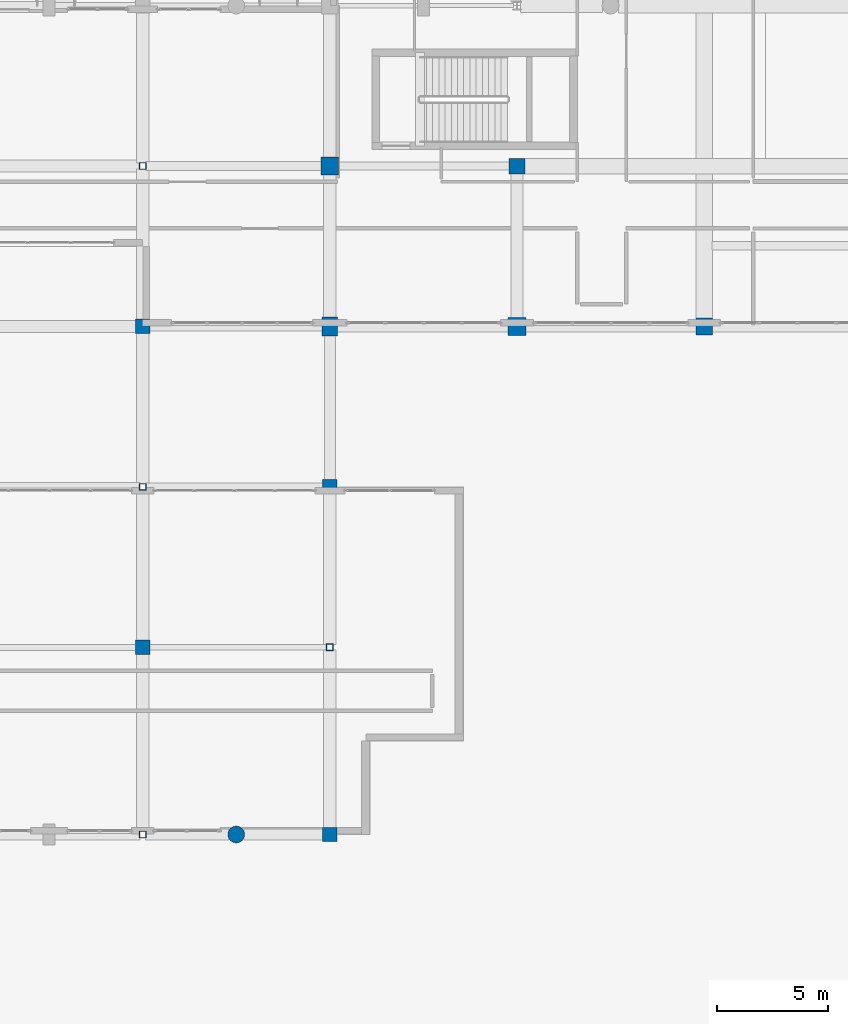
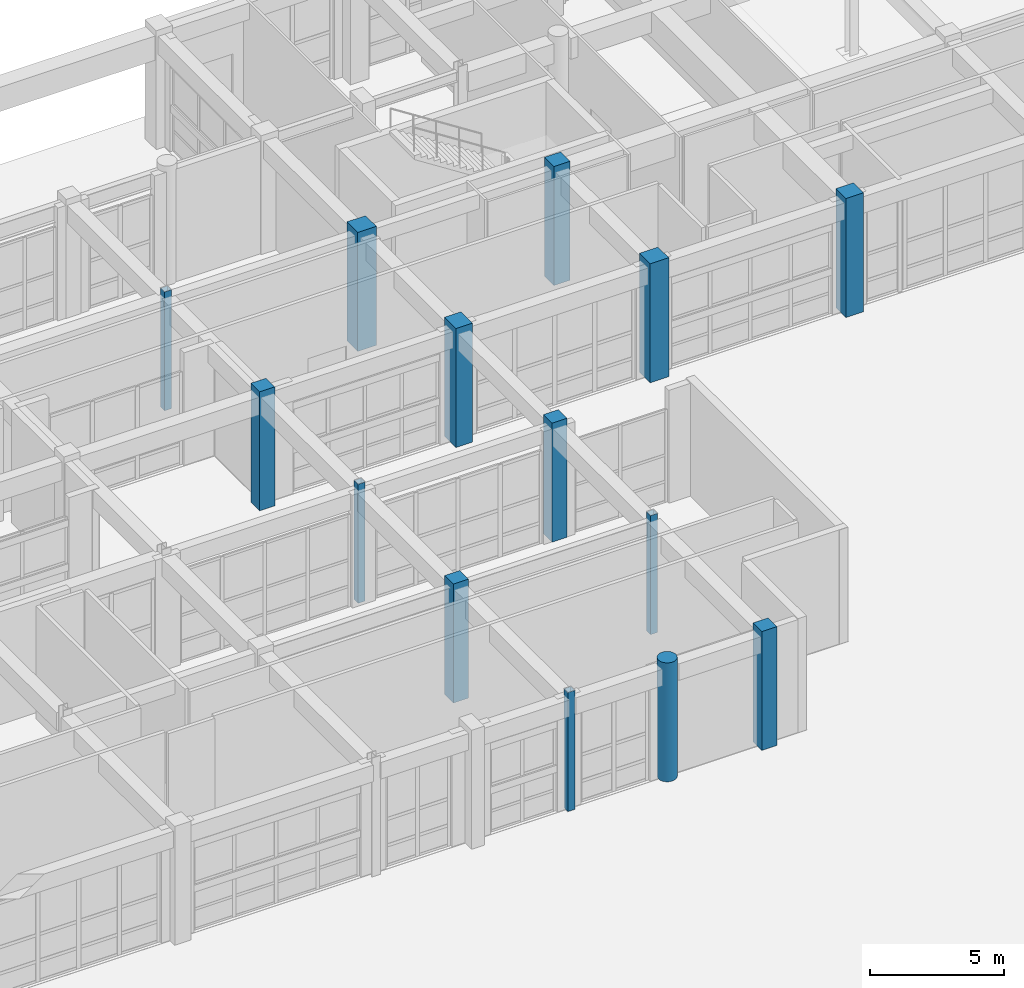
# One storey, part 11 of 148: 14 columns.
"""IFC4 building model written with IfcOpenShell, lengths in metres."""

from ifc_helpers import new_model, si_unit, direction, frame, origin, origin_2d, place, context, subcontext, project, spatial, rectangle, hollow_rectangle, circle, extrude, material, material_profile, profile_set, type_object, element, save


model = new_model("IFC4")

# Units and contexts
model_context = context("Model", 3, precision=1e-05, world=origin(), true_north=direction((0.0, 1.0)))
body_context = subcontext(model_context, "Body", "Model", "MODEL_VIEW")
ifc_project = project(units=[si_unit("LENGTHUNIT", "METRE"), si_unit("AREAUNIT", "SQUARE_METRE"), si_unit("VOLUMEUNIT", "CUBIC_METRE"), si_unit("PLANEANGLEUNIT", "RADIAN"), si_unit("MASSUNIT", "GRAM", prefix="KILO")], contexts=[model_context])

# Site, building, storey
site_placement = place(None, origin())
site = spatial("IfcSite", under=ifc_project, at=site_placement, CompositionType="ELEMENT")
building_placement = place(site_placement, origin())
building = spatial("IfcBuilding", under=site, at=building_placement, Name="Quendrovan Civic Courthouse", CompositionType="ELEMENT")
storey_placement = place(building_placement, origin())
storey = spatial("IfcBuildingStorey", under=building, at=storey_placement, Name="L01", CompositionType="ELEMENT", Elevation=0.0)

# Columns
ifc_material_1 = material(Name="Precast concrete C45/55", Category="concrete")
ifc_material_profile_1 = material_profile(ifc_material_1, circle(Radius=0.375, at=origin_2d()), Name="RC-ARCADE-D750")
ifc_profile_set_1 = profile_set([ifc_material_profile_1], Name="Precast concrete C45/55")
column_type_1 = type_object("IfcColumnType", Name="COL-ARC750", PredefinedType="PILASTER", material=ifc_profile_set_1)
column_1_placement = place(storey_placement, frame((105.0, 64.800048828125, 0.0), z_axis=(0.0, 0.0, 1.0), x_axis=(1.0, 0.0, 0.0)))
element("IfcColumn", 1, at=column_1_placement, inside=storey, type_object=column_type_1, Name="L01 Column PIL-C4", PredefinedType="PILASTER", context=body_context, shape_type="SweptSolid", body=[
    extrude(circle(Radius=0.375, at=origin_2d()), origin(), (0.0, 0.0, 1.0), 5.39990234375),
])
ifc_material_2 = material(Name="Concrete C40/50", Category="concrete")
ifc_material_profile_2 = material_profile(ifc_material_2, rectangle(XDim=0.699951171875, YDim=0.85009765625, at=origin_2d()), Name="RC-COL-700x850")
ifc_profile_set_2 = profile_set([ifc_material_profile_2], Name="Concrete C40/50")
column_type_2 = type_object("IfcColumnType", Name="COL-RC-700x850", PredefinedType="COLUMN", material=ifc_profile_set_2)
column_2_placement = place(storey_placement, frame((109.199951171875, 87.60009765625, 0.0), z_axis=(0.0, 0.0, 1.0), x_axis=(1.0, 0.0, 0.0)))
element("IfcColumn", 2, at=column_2_placement, inside=storey, type_object=column_type_2, Name="L01 Column 14-M", PredefinedType="COLUMN", context=body_context, shape_type="SweptSolid", body=[
    extrude(rectangle(XDim=0.699951171875, YDim=0.85009765625, at=origin_2d()), origin(), (0.0, 0.0, 1.0), 5.39990234375),
])
ifc_material_3 = material(Name="Concrete C45/55", Category="concrete")
ifc_material_profile_3 = material_profile(ifc_material_3, rectangle(XDim=0.64990234375, YDim=0.64990234375, at=origin_2d()), Name="RC-COL-650x650")
ifc_profile_set_3 = profile_set([ifc_material_profile_3], Name="Concrete C45/55")
column_type_3 = type_object("IfcColumnType", Name="COL-RC650", PredefinedType="COLUMN", material=ifc_profile_set_3)
for number, where, z_axis, x_axis, name in (
    (3, (100.800048828125, 73.199951171875, 0.0), (0.0, 0.0, 1.0), (1.0, 0.0, 0.0), "L01 Column 13-K"),
    (4, (100.800048828125, 87.60009765625, 0.0), (0.0, 0.0, 1.0), (1.0, 0.0, 0.0), "L01 Column 13-M"),
    (5, (109.199951171875, 64.800048828125, 0.0), (0.0, 0.0, 1.0), (1.0, 0.0, 0.0), "L01 Column 14-J"),
    (6, (109.199951171875, 80.39990234375, 0.0), (0.0, 0.0, 1.0), (1.0, 0.0, 0.0), "L01 Column 14-L"),
):
    element("IfcColumn", number, at=place(storey_placement, frame(where, z_axis=z_axis, x_axis=x_axis)), inside=storey, type_object=column_type_3, Name=name, PredefinedType="COLUMN", context=body_context, shape_type="SweptSolid", body=[
        extrude(rectangle(XDim=0.64990234375, YDim=0.64990234375, at=origin_2d()), origin(), (0.0, 0.0, 1.0), 5.39990234375),
    ])
ifc_material_profile_4 = material_profile(ifc_material_3, rectangle(XDim=0.699951171875, YDim=0.699951171875, at=origin_2d()), Name="RC-COL-700x700")
ifc_profile_set_4 = profile_set([ifc_material_profile_4], Name="Concrete C45/55")
column_type_4 = type_object("IfcColumnType", Name="COL-RC700", PredefinedType="COLUMN", material=ifc_profile_set_4)
column_3_placement = place(storey_placement, frame((117.60009765625, 94.800048828125, 0.0), z_axis=(0.0, 0.0, 1.0), x_axis=(1.0, 0.0, 0.0)))
element("IfcColumn", 7, at=column_3_placement, inside=storey, type_object=column_type_4, Name="L01 Column 15-N", PredefinedType="COLUMN", context=body_context, shape_type="SweptSolid", body=[
    extrude(rectangle(XDim=0.699951171875, YDim=0.699951171875, at=origin_2d()), origin(), (0.0, 0.0, 1.0), 5.39990234375),
])
ifc_material_profile_5 = material_profile(ifc_material_3, rectangle(XDim=0.75, YDim=0.75, at=origin_2d()), Name="RC-COL-750x750")
ifc_profile_set_5 = profile_set([ifc_material_profile_5], Name="Concrete C45/55")
column_type_5 = type_object("IfcColumnType", Name="COL-RC750", PredefinedType="COLUMN", material=ifc_profile_set_5)
column_4_placement = place(storey_placement, frame((126.0, 87.60009765625, 0.0), z_axis=(0.0, 0.0, 1.0), x_axis=(1.0, 0.0, 0.0)))
element("IfcColumn", 8, at=column_4_placement, inside=storey, type_object=column_type_5, Name="L01 Column 16-M", PredefinedType="COLUMN", context=body_context, shape_type="SweptSolid", body=[
    extrude(rectangle(XDim=0.75, YDim=0.75, at=origin_2d()), origin(), (0.0, 0.0, 1.0), 5.39990234375),
])
ifc_material_profile_6 = material_profile(ifc_material_3, rectangle(XDim=0.800048828125, YDim=0.800048828125, at=origin_2d()), Name="RC-COL-800x800")
ifc_profile_set_6 = profile_set([ifc_material_profile_6], Name="Concrete C45/55")
column_type_6 = type_object("IfcColumnType", Name="COL-RC800", PredefinedType="COLUMN", material=ifc_profile_set_6)
for number, where, z_axis, x_axis, name in (
    (9, (109.199951171875, 94.800048828125, 0.0), (0.0, 0.0, 1.0), (1.0, 0.0, 0.0), "L01 Column 14-N"),
    (10, (117.60009765625, 87.60009765625, 0.0), (0.0, 0.0, 1.0), (1.0, 0.0, 0.0), "L01 Column 15-M"),
):
    element("IfcColumn", number, at=place(storey_placement, frame(where, z_axis=z_axis, x_axis=x_axis)), inside=storey, type_object=column_type_6, Name=name, PredefinedType="COLUMN", context=body_context, shape_type="SweptSolid", body=[
        extrude(rectangle(XDim=0.800048828125, YDim=0.800048828125, at=origin_2d()), origin(), (0.0, 0.0, 1.0), 5.39990234375),
    ])
ifc_material_4 = material(Name="Steel ASTM A500 Grade C", Category="steel")
ifc_material_profile_7 = material_profile(ifc_material_4, hollow_rectangle(XDim=0.300048828125, YDim=0.300048828125, WallThickness=0.011962890625, at=origin_2d()), Name="HSS300x300x12")
ifc_profile_set_7 = profile_set([ifc_material_profile_7], Name="Steel ASTM A500 Grade C")
column_type_7 = type_object("IfcColumnType", Name="COL-STL-HSS300S", PredefinedType="COLUMN", material=ifc_profile_set_7)
for number, where, z_axis, x_axis, name in (
    (11, (100.800048828125, 64.800048828125, 0.0), (0.0, 0.0, 1.0), (1.0, 0.0, 0.0), "L01 Column 13-J"),
    (12, (100.800048828125, 80.39990234375, 0.0), (0.0, 0.0, 1.0), (1.0, 0.0, 0.0), "L01 Column 13-L"),
    (13, (100.800048828125, 94.800048828125, 0.0), (0.0, 0.0, 1.0), (1.0, 0.0, 0.0), "L01 Column 13-N"),
    (14, (109.199951171875, 73.199951171875, 0.0), (0.0, 0.0, 1.0), (1.0, 0.0, 0.0), "L01 Column 14-K"),
):
    element("IfcColumn", number, at=place(storey_placement, frame(where, z_axis=z_axis, x_axis=x_axis)), inside=storey, type_object=column_type_7, Name=name, PredefinedType="COLUMN", context=body_context, shape_type="SweptSolid", body=[
        extrude(hollow_rectangle(XDim=0.300048828125, YDim=0.300048828125, WallThickness=0.011962890625, at=origin_2d()), origin(), (0.0, 0.0, 1.0), 5.39990234375),
    ])

save(model, "model.ifc")
